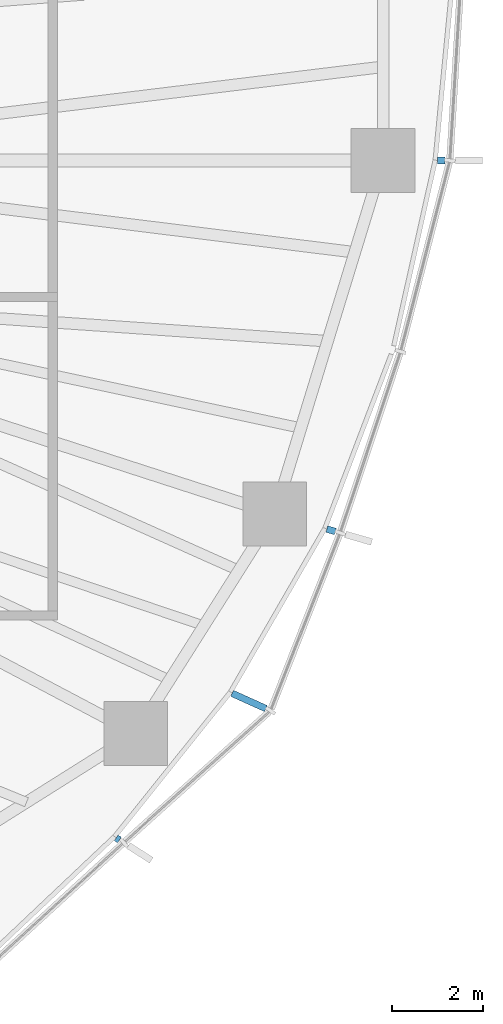
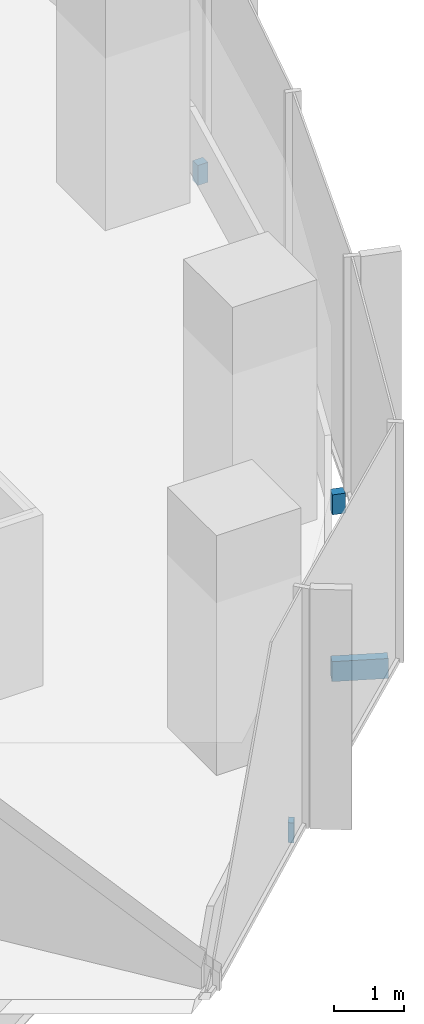
# One storey, part 14 of 18: 4 discrete accessories.
"""IFC4 building model written with IfcOpenShell, lengths in metres."""

from ifc_helpers import new_model, si_unit, direction, frame, origin, origin_2d, place, context, subcontext, project, spatial, rectangle, extrude, material, type_object, element, save


model = new_model("IFC4")

# Units and contexts
model_context = context("Model", 3, precision=1e-05, world=origin(), true_north=direction((0.0, 1.0)))
body_context = subcontext(model_context, "Body", "Model", "MODEL_VIEW")
ifc_project = project(units=[si_unit("LENGTHUNIT", "METRE"), si_unit("AREAUNIT", "SQUARE_METRE"), si_unit("VOLUMEUNIT", "CUBIC_METRE"), si_unit("PLANEANGLEUNIT", "RADIAN"), si_unit("MASSUNIT", "GRAM", prefix="KILO")], contexts=[model_context])

# Site, building, storey
site_placement = place(None, origin())
site = spatial("IfcSite", under=ifc_project, at=site_placement, CompositionType="ELEMENT")
building_placement = place(site_placement, origin())
building = spatial("IfcBuilding", under=site, at=building_placement, Name="Ghaith Harvest Tower", CompositionType="ELEMENT")
storey_placement = place(building_placement, frame((0.0, 0.0, 172.199951171875)))
storey = spatial("IfcBuildingStorey", under=building, at=storey_placement, Name="L37", CompositionType="ELEMENT", Elevation=172.199951171875)

# Discrete accessories
ifc_material_1 = material(Name="Stainless steel grade 1.4401", Category="steel")
discrete_accessory_type_1 = type_object("IfcDiscreteAccessoryType", Name="CURTAIN WALL BRACKET 165", PredefinedType="BRACKET", material=ifc_material_1)
discrete_accessory_1_placement = place(storey_placement, frame((30.5361328125, 0.0, -0.25), z_axis=(0.0, 0.0, 1.0), x_axis=(1.0, 0.0, 0.0)))
element("IfcDiscreteAccessory", 1, at=discrete_accessory_1_placement, inside=storey, type_object=discrete_accessory_type_1, Name="CW-L bracket 1 bay 01 L37", PredefinedType="BRACKET", context=body_context, shape_type="SweptSolid", body=[
    extrude(rectangle(XDim=0.1650390625, YDim=0.14990234375, at=origin_2d()), origin(), (0.0, 0.0, 1.0), 0.35009765625),
])
ifc_material_2 = material(Name="Stainless steel grade 1.4401", Category="steel")
discrete_accessory_type_2 = type_object("IfcDiscreteAccessoryType", Name="CURTAIN WALL BRACKET 195", PredefinedType="BRACKET", material=ifc_material_2)
discrete_accessory_2_placement = place(storey_placement, frame((28.1201171875, -8.127197265625, -0.25), z_axis=(0.0, 0.0, 1.0), x_axis=(0.960680349932, -0.277656739976, 0.0)))
element("IfcDiscreteAccessory", 2, at=discrete_accessory_2_placement, inside=storey, type_object=discrete_accessory_type_2, Name="CW-L bracket 1 bay 20 L37", PredefinedType="BRACKET", context=body_context, shape_type="SweptSolid", body=[
    extrude(rectangle(XDim=0.195068359375, YDim=0.14990234375, at=origin_2d()), origin(), (0.0, 0.0, 1.0), 0.35009765625),
])
ifc_material_3 = material(Name="Stainless steel grade 1.4401", Category="steel")
discrete_accessory_type_3 = type_object("IfcDiscreteAccessoryType", Name="CURTAIN WALL BRACKET 815", PredefinedType="BRACKET", material=ifc_material_3)
discrete_accessory_3_placement = place(storey_placement, frame((26.314697265625, -11.879638671875, -0.25), z_axis=(0.0, 0.0, 1.0), x_axis=(0.911426750831, -0.41146236507, 0.0)))
element("IfcDiscreteAccessory", 3, at=discrete_accessory_3_placement, inside=storey, type_object=discrete_accessory_type_3, Name="CW-L bracket 2 bay 19 L37", PredefinedType="BRACKET", context=body_context, shape_type="SweptSolid", body=[
    extrude(rectangle(XDim=0.81494140625, YDim=0.14990234375, at=origin_2d()), origin(), (0.0, 0.0, 1.0), 0.35009765625),
])
ifc_material_4 = material(Name="Stainless steel grade 1.4401", Category="steel")
discrete_accessory_type_4 = type_object("IfcDiscreteAccessoryType", Name="CURTAIN WALL BRACKET 85", PredefinedType="BRACKET", material=ifc_material_4)
discrete_accessory_4_placement = place(storey_placement, frame((23.431884765625, -14.912353515625, -0.25), z_axis=(0.0, 0.0, 1.0), x_axis=(0.84364397137, -0.536903016913, 0.0)))
element("IfcDiscreteAccessory", 4, at=discrete_accessory_4_placement, inside=storey, type_object=discrete_accessory_type_4, Name="CW-L bracket 1 bay 19 L37", PredefinedType="BRACKET", context=body_context, shape_type="SweptSolid", body=[
    extrude(rectangle(XDim=0.0849609375, YDim=0.14990234375, at=origin_2d()), origin(), (0.0, 0.0, 1.0), 0.35009765625),
])

save(model, "model.ifc")
